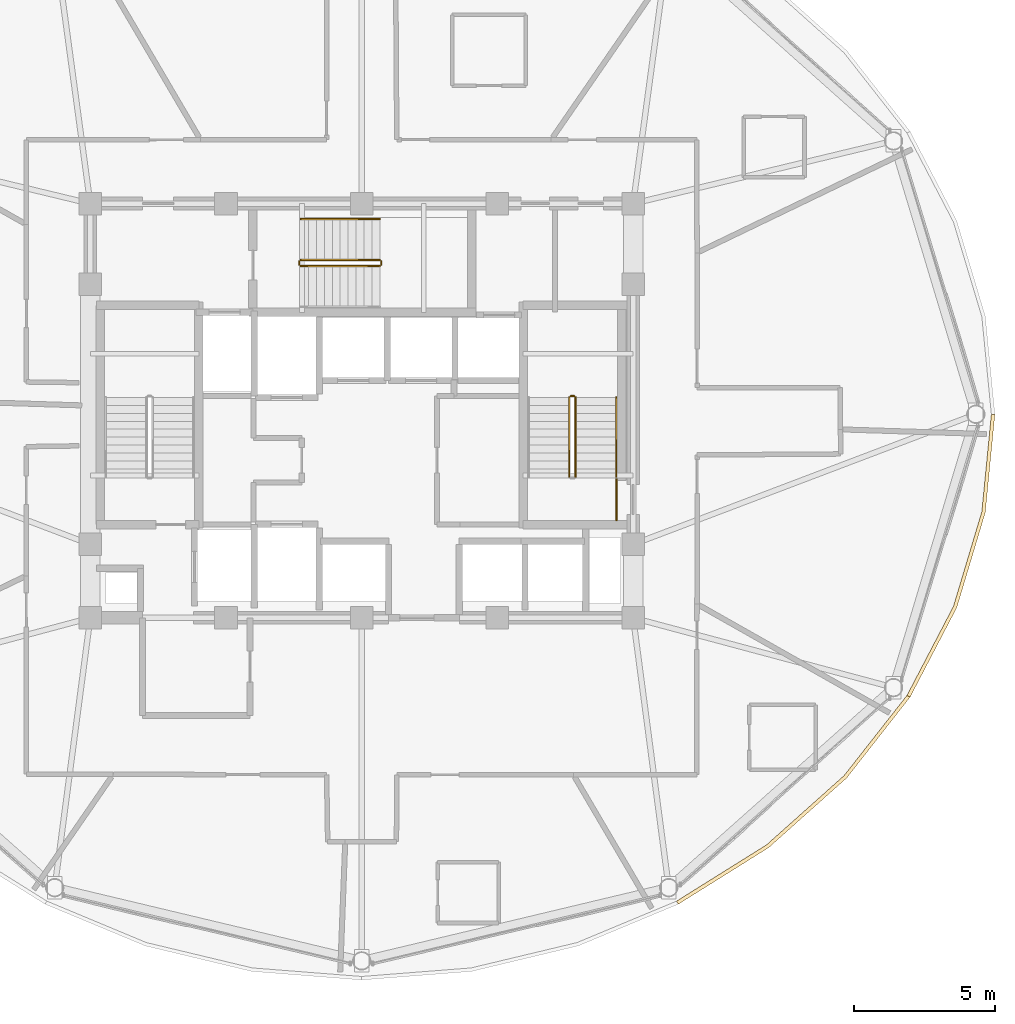
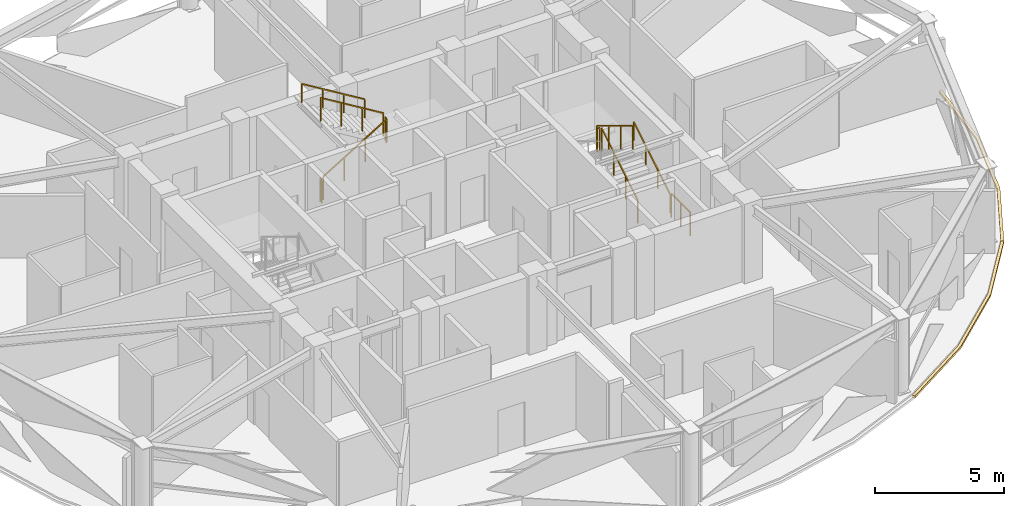
# One storey, part 27 of 28: 10 railings, 2 coverings.
"""IFC4 building model written with IfcOpenShell, lengths in metres."""

import ifcopenshell
import ifcopenshell.guid

model = None  # the IFC model being written
_history = None  # IfcOwnerHistory: only IFC2X3 demands one
_inside = {}  # id of a spatial element -> (the spatial element, [elements in it])
_under = {}  # id of a project, library or spatial element -> (it, [spatial elements below it])
_declared = {}  # id of a project -> (the project, [libraries it declares])
_typed = {}  # id of a type object -> (the type object, [elements of that type])
_made_of = {}  # id of a material, layer set ... -> (it, [elements and type objects made of it])


def new_model(schema):
    """Start an empty IFC model of exactly this schema.

    Asked for "IFC4X3", IfcOpenShell would pick the latest addendum, in which some entities
    have other attributes; the version numbers below select the first issue.
    IFC2X3 requires an IfcOwnerHistory on every rooted entity: one is made here for all.
    """
    global model, _history
    if schema == "IFC4X3":
        model = ifcopenshell.file(schema_version=(4, 3, 0, 0))
    else:
        model = ifcopenshell.file(schema=schema)
    _inside.clear()
    _under.clear()
    _declared.clear()
    _typed.clear()
    _made_of.clear()
    _history = None
    if model.schema == "IFC2X3":
        org = make("IfcOrganization", Name="unknown")
        user = make(
            "IfcPersonAndOrganization",
            ThePerson=make("IfcPerson", FamilyName="unknown"),
            TheOrganization=org,
        )
        app = make(
            "IfcApplication",
            ApplicationDeveloper=org,
            Version="unknown",
            ApplicationFullName="unknown",
            ApplicationIdentifier="unknown",
        )
        _history = make(
            "IfcOwnerHistory",
            OwningUser=user,
            OwningApplication=app,
            ChangeAction="ADDED",
            CreationDate=0,
        )
    return model


def make(cls, **values):
    """One entity of the class cls with the attributes given. An attribute that is None is left unset."""
    return model.create_entity(
        cls, **{name: value for name, value in values.items() if value is not None}
    )


def rooted(cls, **values):
    """An entity with a GlobalId (a new one), such as an element, a storey or a relation."""
    return make(cls, GlobalId=ifcopenshell.guid.new(), OwnerHistory=_history, **values)


def si_unit(unit_type, name, prefix=None):
    """IfcSIUnit, for example si_unit("LENGTHUNIT", "METRE", prefix="MILLI")."""
    return make("IfcSIUnit", UnitType=unit_type, Prefix=prefix, Name=name)


def assignment(units):
    """IfcUnitAssignment: the units of a project."""
    return None if units is None else make("IfcUnitAssignment", Units=units)


def point(xyz):
    """IfcCartesianPoint."""
    return None if xyz is None else make("IfcCartesianPoint", Coordinates=xyz)


def direction(xyz):
    """IfcDirection."""
    return None if xyz is None else make("IfcDirection", DirectionRatios=xyz)


def frame(location, z_axis=None, x_axis=None):
    """IfcAxis2Placement3D, a coordinate frame: its origin and axes. An axis left out is left unset."""
    return make(
        "IfcAxis2Placement3D",
        Location=point(location),
        Axis=direction(z_axis),
        RefDirection=direction(x_axis),
    )


def frame_2d(location, x_axis=None):
    """IfcAxis2Placement2D, a coordinate frame in the plane: its origin and x axis."""
    return make(
        "IfcAxis2Placement2D", Location=point(location), RefDirection=direction(x_axis)
    )


def origin():
    """The frame at (0, 0, 0) with its axes left unset."""
    return frame((0.0, 0.0, 0.0))


def origin_2d():
    """The frame at (0, 0) in the plane with its x axis left unset."""
    return frame_2d((0.0, 0.0))


def place(relative_to, where):
    """IfcLocalPlacement: puts the frame where relative to a parent placement (None: the world)."""
    return make(
        "IfcLocalPlacement", PlacementRelTo=relative_to, RelativePlacement=where
    )


def context(
    kind, dimensions, precision=None, world=None, true_north=None, identifier=None
):
    """IfcGeometricRepresentationContext, for example the 3D "Model" context."""
    return make(
        "IfcGeometricRepresentationContext",
        ContextIdentifier=identifier,
        ContextType=kind,
        CoordinateSpaceDimension=dimensions,
        Precision=precision,
        WorldCoordinateSystem=world,
        TrueNorth=true_north,
    )


def subcontext(parent, identifier, kind, view, scale=None):
    """IfcGeometricRepresentationSubContext, for example "Body" below "Model"."""
    return make(
        "IfcGeometricRepresentationSubContext",
        ContextIdentifier=identifier,
        ContextType=kind,
        ParentContext=parent,
        TargetScale=scale,
        TargetView=view,
    )


def project(units=None, contexts=None):
    """IfcProject with its units and contexts."""
    return rooted(
        "IfcProject",
        Name="project",
        RepresentationContexts=contexts,
        UnitsInContext=assignment(units),
    )


def spatial(cls, under=None, at=None, **own):
    """A site, building, storey or space (cls), placed at a placement, below another one or the project."""
    s = rooted(cls, ObjectPlacement=at, **own)
    if under is not None:
        _under.setdefault(under.id(), (under, []))[1].append(s)
    return s


def polyline(points):
    """IfcPolyline through the points."""
    return make("IfcPolyline", Points=[point(p) for p in points])


def profile(cls, at=None, kind="AREA", **sizes):
    """A parametric profile (cls). Its sizes go by their IFC names, for example OverallWidth=200.0."""
    return make(cls, ProfileType=kind, Position=at, **sizes)


def rectangle(**sizes):
    """IfcRectangleProfileDef."""
    return profile("IfcRectangleProfileDef", **sizes)


def outline(outer, holes=None, kind="AREA"):
    """IfcArbitraryClosedProfileDef: a profile drawn as a closed curve; with holes, ...WithVoids."""
    if holes is None:
        return make("IfcArbitraryClosedProfileDef", ProfileType=kind, OuterCurve=outer)
    return make(
        "IfcArbitraryProfileDefWithVoids",
        ProfileType=kind,
        OuterCurve=outer,
        InnerCurves=holes,
    )


def extrude(swept, where, along, depth):
    """IfcExtrudedAreaSolid: the profile swept, set in the frame where, extruded along a direction by depth."""
    return make(
        "IfcExtrudedAreaSolid",
        SweptArea=swept,
        Position=where,
        ExtrudedDirection=direction(along),
        Depth=depth,
    )


def shape(context_of_items, identifier, shape_type, items):
    """IfcShapeRepresentation: the items that make up one representation, for example the "Body"."""
    return make(
        "IfcShapeRepresentation",
        ContextOfItems=context_of_items,
        RepresentationIdentifier=identifier,
        RepresentationType=shape_type,
        Items=items,
    )


def material(Name=None, Category=None):
    """IfcMaterial."""
    return make("IfcMaterial", Name=Name, Category=Category)


def layer(
    of_material, thickness, ventilated=None, Name=None, Category=None, Priority=None
):
    """IfcMaterialLayer: one layer of a wall or slab, of a material (None: an air gap)."""
    return make(
        "IfcMaterialLayer",
        Material=of_material,
        LayerThickness=thickness,
        IsVentilated=ventilated,
        Name=Name,
        Category=Category,
        Priority=Priority,
    )


def layer_set(layers, Name=None):
    """IfcMaterialLayerSet."""
    return make("IfcMaterialLayerSet", MaterialLayers=layers, LayerSetName=Name)


def made_of(thing, what):
    """Note that an element or type object is made of a material, layer set ...; save() writes the relation."""
    if what is not None:
        _made_of.setdefault(what.id(), (what, []))[1].append(thing)
    return thing


def type_object(cls, material=None, **own):
    """A type object (cls), such as IfcWallType, which elements share."""
    return made_of(rooted(cls, **own), material)


def element(
    cls,
    number,
    at=None,
    inside=None,
    cuts=None,
    type_object=None,
    material=None,
    context=None,
    identifier="Body",
    shape_type=None,
    held_by="IfcProductDefinitionShape",
    body=None,
    shapes=None,
    **own,
):
    """One element of the class cls, such as IfcWall. Its Tag is "e" and its number.

    at: its placement. inside: the storey or other place that contains it. cuts: it is an
    opening in that element (IfcRelVoidsElement). A single representation is given by context,
    identifier, shape_type and body (its items); several are given by shapes. held_by: the class
    of the entity that holds the representations. save() writes the other relations.
    """
    e = rooted(cls, Tag="e%d" % number, ObjectPlacement=at, **own)
    if body is not None:
        shapes = [shape(context, identifier, shape_type, body)]
    if shapes is not None:
        e.Representation = make(held_by, Representations=shapes)
    if inside is not None:
        _inside.setdefault(inside.id(), (inside, []))[1].append(e)
    if cuts is not None:
        rooted(
            "IfcRelVoidsElement", RelatingBuildingElement=cuts, RelatedOpeningElement=e
        )
    if type_object is not None:
        _typed.setdefault(type_object.id(), (type_object, []))[1].append(e)
    return made_of(e, material)


def aggregate(whole, parts):
    """IfcRelAggregates: a whole, such as a stair, and the parts it consists of."""
    return rooted("IfcRelAggregates", RelatingObject=whole, RelatedObjects=parts)


def save(model, path):
    """Write the relations noted so far, then the file.

    IfcRelAggregates (storeys below a building ...), IfcRelContainedInSpatialStructure (elements
    in a storey), IfcRelDefinesByType, IfcRelAssociatesMaterial and IfcRelDeclares: one each for
    every whole, place, type object, material and project.
    """
    for whole, parts in _under.values():
        aggregate(whole, parts)
    for where, things in _inside.values():
        rooted(
            "IfcRelContainedInSpatialStructure",
            RelatedElements=things,
            RelatingStructure=where,
        )
    for kind, things in _typed.values():
        rooted("IfcRelDefinesByType", RelatedObjects=things, RelatingType=kind)
    for what, things in _made_of.values():
        rooted("IfcRelAssociatesMaterial", RelatedObjects=things, RelatingMaterial=what)
    for by, libraries in _declared.values():
        rooted("IfcRelDeclares", RelatingContext=by, RelatedDefinitions=libraries)
    model.write(path)


model = new_model("IFC4")

# Units and contexts
model_context = context("Model", 3, precision=1e-05, world=origin(), true_north=direction((0.0, 1.0)))
body_context = subcontext(model_context, "Body", "Model", "MODEL_VIEW")
ifc_project = project(units=[si_unit("LENGTHUNIT", "METRE"), si_unit("AREAUNIT", "SQUARE_METRE"), si_unit("VOLUMEUNIT", "CUBIC_METRE"), si_unit("PLANEANGLEUNIT", "RADIAN"), si_unit("MASSUNIT", "GRAM", prefix="KILO")], contexts=[model_context])

# Site, building, storey
site_placement = place(None, origin())
site = spatial("IfcSite", under=ifc_project, at=site_placement, CompositionType="ELEMENT")
building_placement = place(site_placement, origin())
building = spatial("IfcBuilding", under=site, at=building_placement, Name="Vantalir Tower", CompositionType="ELEMENT")
storey_placement = place(building_placement, frame((0.0, 0.0, 238.64990234375)))
storey = spatial("IfcBuildingStorey", under=building, at=storey_placement, Name="L60", CompositionType="ELEMENT", Elevation=238.64990234375)

# Coverings
ifc_material_1 = material(Name="Anodised champagne aluminium sill fascia", Category="aluminium")
ifc_layer = layer(ifc_material_1, 0.125)
ifc_layer_set = layer_set([ifc_layer], Name="Anodised champagne aluminium sill fascia")
covering_type = type_object("IfcCoveringType", Name="COV-SLAB-FASCIA-125", PredefinedType="CLADDING", material=ifc_layer_set)
covering_1_placement = place(storey_placement, frame((0.0, 0.0, -0.179931640625)))
element("IfcCovering", 1, at=covering_1_placement, inside=storey, type_object=covering_type, Name="L60 Perimeter Slab-Edge Sill Fascia 11", PredefinedType="CLADDING", context=body_context, shape_type="SweptSolid", body=[
    extrude(outline(polyline([(42.697021484375, 7.673095703125), (45.89404296875, 9.673095703125), (48.654052734375, 12.138916015625), (50.89306640625, 14.99609375), (50.784912109375, 15.05810546875), (48.55810546875, 12.218994140625), (45.81396484375, 9.76904296875), (42.634033203125, 7.781005859375), (42.697021484375, 7.673095703125)])), origin(), (0.0, 0.0, 1.0), 0.10498046875),
])
covering_2_placement = place(storey_placement, frame((0.0, 0.0, -0.179931640625)))
element("IfcCovering", 2, at=covering_2_placement, inside=storey, type_object=covering_type, Name="L60 Perimeter Slab-Edge Sill Fascia 12", PredefinedType="CLADDING", context=body_context, shape_type="SweptSolid", body=[
    extrude(outline(polyline([(50.89306640625, 14.99609375), (52.54296875, 18.156982421875), (53.552978515625, 21.52587890625), (53.89306640625, 25.0), (53.76806640625, 25.0), (53.429931640625, 21.547119140625), (52.425048828125, 18.199951171875), (50.784912109375, 15.05810546875), (50.89306640625, 14.99609375)])), origin(), (0.0, 0.0, 1.0), 0.10498046875),
])

# Railings
ifc_material_2 = material(Name="Anodised aluminium and stainless steel guard", Category="steel")
railing_type_1 = type_object("IfcRailingType", Name="RAL-GUARD-1120", PredefinedType="GUARDRAIL", material=ifc_material_2)
railing_1_placement = place(storey_placement, frame((39.06005859375, 22.7900390625, 0.170654296875)))
element("IfcRailing", 3, at=railing_1_placement, inside=storey, type_object=railing_type_1, Name="L60 ST2 stair guard 1", PredefinedType="GUARDRAIL", context=body_context, shape_type="SweptSolid", body=[
    extrude(rectangle(XDim=0.048095703125, YDim=0.048095703125, at=origin_2d()), frame((0.0, 0.0, 1.09619140625), z_axis=(0.0, 0.854202870247, 0.519939858505), x_axis=(-1.0, 0.0, 0.0)), (0.0, 0.0, 1.0), 3.278076171875),
    extrude(rectangle(XDim=0.0419921875, YDim=0.0419921875, at=origin_2d()), origin(), (0.0, 0.0, 1.0), 1.072021484375),
    extrude(rectangle(XDim=0.0419921875, YDim=0.0419921875, at=origin_2d()), frame((0.0, 0.933349609375, 0.568115234375)), (0.0, 0.0, 1.0), 1.072021484375),
    extrude(rectangle(XDim=0.0419921875, YDim=0.0419921875, at=origin_2d()), frame((0.0, 1.86669921875, 1.13623046875)), (0.0, 0.0, 1.0), 1.072021484375),
    extrude(rectangle(XDim=0.0419921875, YDim=0.0419921875, at=origin_2d()), frame((0.0, 2.800048828125, 1.704345703125)), (0.0, 0.0, 1.0), 1.072021484375),
])
railing_2_placement = place(storey_placement, frame((39.010009765625, 25.639892578125, 1.875)))
element("IfcRailing", 4, at=railing_2_placement, inside=storey, type_object=railing_type_1, Name="L60 ST2 stair guard 2", PredefinedType="GUARDRAIL", context=body_context, shape_type="SweptSolid", body=[
    extrude(rectangle(XDim=0.048095703125, YDim=0.048095703125, at=origin_2d()), frame((0.0, 0.0, 1.09619140625), z_axis=(-1.0, 0.0, 0.0), x_axis=(0.0, -1.0, 0.0)), (0.0, 0.0, 1.0), 0.1201171875),
    extrude(rectangle(XDim=0.0419921875, YDim=0.0419921875, at=origin_2d()), origin(), (0.0, 0.0, 1.0), 1.072021484375),
    extrude(rectangle(XDim=0.0419921875, YDim=0.0419921875, at=origin_2d()), frame((-0.1201171875, 0.0, 0.0)), (0.0, 0.0, 1.0), 1.072021484375),
])
railing_3_placement = place(storey_placement, frame((38.840087890625, 25.590087890625, 2.045654296875)))
element("IfcRailing", 5, at=railing_3_placement, inside=storey, type_object=railing_type_1, Name="L60 ST2 stair guard 3", PredefinedType="GUARDRAIL", context=body_context, shape_type="SweptSolid", body=[
    extrude(rectangle(XDim=0.048095703125, YDim=0.048095703125, at=origin_2d()), frame((0.0, 0.0, 1.09619140625), z_axis=(0.0, -0.854202870247, 0.519939858505), x_axis=(1.0, 0.0, 0.0)), (0.0, 0.0, 1.0), 3.278076171875),
    extrude(rectangle(XDim=0.0419921875, YDim=0.0419921875, at=origin_2d()), origin(), (0.0, 0.0, 1.0), 1.072021484375),
    extrude(rectangle(XDim=0.0419921875, YDim=0.0419921875, at=origin_2d()), frame((0.0, -0.933349609375, 0.568115234375)), (0.0, 0.0, 1.0), 1.072021484375),
    extrude(rectangle(XDim=0.0419921875, YDim=0.0419921875, at=origin_2d()), frame((0.0, -1.86669921875, 1.13623046875)), (0.0, 0.0, 1.0), 1.072021484375),
    extrude(rectangle(XDim=0.0419921875, YDim=0.0419921875, at=origin_2d()), frame((0.0, -2.800048828125, 1.704345703125)), (0.0, 0.0, 1.0), 1.072021484375),
])
railing_4_placement = place(storey_placement, frame((29.340087890625, 30.239990234375, 0.170654296875)))
element("IfcRailing", 6, at=railing_4_placement, inside=storey, type_object=railing_type_1, Name="L60 ST3 stair guard 1", PredefinedType="GUARDRAIL", context=body_context, shape_type="SweptSolid", body=[
    extrude(rectangle(XDim=0.048095703125, YDim=0.048095703125, at=origin_2d()), frame((0.0, 0.0, 1.09619140625), z_axis=(0.854182733786, 0.0, 0.519972939009), x_axis=(0.0, 1.0, 0.0)), (0.0, 0.0, 1.0), 3.27783203125),
    extrude(rectangle(XDim=0.0419921875, YDim=0.0419921875, at=origin_2d()), origin(), (0.0, 0.0, 1.0), 1.072021484375),
    extrude(rectangle(XDim=0.0419921875, YDim=0.0419921875, at=origin_2d()), frame((0.933349609375, 0.0, 0.568115234375)), (0.0, 0.0, 1.0), 1.072021484375),
    extrude(rectangle(XDim=0.0419921875, YDim=0.0419921875, at=origin_2d()), frame((1.866455078125, 0.0, 1.13623046875)), (0.0, 0.0, 1.0), 1.072021484375),
    extrude(rectangle(XDim=0.0419921875, YDim=0.0419921875, at=origin_2d()), frame((2.7998046875, 0.0, 1.704345703125)), (0.0, 0.0, 1.0), 1.072021484375),
])
railing_5_placement = place(storey_placement, frame((32.18994140625, 30.2900390625, 1.875)))
element("IfcRailing", 7, at=railing_5_placement, inside=storey, type_object=railing_type_1, Name="L60 ST3 stair guard 2", PredefinedType="GUARDRAIL", context=body_context, shape_type="SweptSolid", body=[
    extrude(rectangle(XDim=0.048095703125, YDim=0.048095703125, at=origin_2d()), frame((0.0, 0.0, 1.09619140625), z_axis=(0.0, 1.0, 0.0), x_axis=(-1.0, 0.0, 0.0)), (0.0, 0.0, 1.0), 0.119873046875),
    extrude(rectangle(XDim=0.0419921875, YDim=0.0419921875, at=origin_2d()), origin(), (0.0, 0.0, 1.0), 1.072021484375),
    extrude(rectangle(XDim=0.0419921875, YDim=0.0419921875, at=origin_2d()), frame((0.0, 0.119873046875, 0.0)), (0.0, 0.0, 1.0), 1.072021484375),
])
railing_6_placement = place(storey_placement, frame((32.139892578125, 30.4599609375, 2.045654296875)))
element("IfcRailing", 8, at=railing_6_placement, inside=storey, type_object=railing_type_1, Name="L60 ST3 stair guard 3", PredefinedType="GUARDRAIL", context=body_context, shape_type="SweptSolid", body=[
    extrude(rectangle(XDim=0.048095703125, YDim=0.048095703125, at=origin_2d()), frame((0.0, 0.0, 1.09619140625), z_axis=(-0.854182733786, 0.0, 0.519972939009), x_axis=(0.0, -1.0, 0.0)), (0.0, 0.0, 1.0), 3.27783203125),
    extrude(rectangle(XDim=0.0419921875, YDim=0.0419921875, at=origin_2d()), origin(), (0.0, 0.0, 1.0), 1.072021484375),
    extrude(rectangle(XDim=0.0419921875, YDim=0.0419921875, at=origin_2d()), frame((-0.933349609375, 0.0, 0.568115234375)), (0.0, 0.0, 1.0), 1.072021484375),
    extrude(rectangle(XDim=0.0419921875, YDim=0.0419921875, at=origin_2d()), frame((-1.866455078125, 0.0, 1.13623046875)), (0.0, 0.0, 1.0), 1.072021484375),
    extrude(rectangle(XDim=0.0419921875, YDim=0.0419921875, at=origin_2d()), frame((-2.7998046875, 0.0, 1.704345703125)), (0.0, 0.0, 1.0), 1.072021484375),
])
railing_7_placement = place(storey_placement, frame((29.2900390625, 30.2900390625, 0.0)))
element("IfcRailing", 9, at=railing_7_placement, inside=storey, type_object=railing_type_1, Name="L60 ST3 stair guard 4", PredefinedType="GUARDRAIL", context=body_context, shape_type="SweptSolid", body=[
    extrude(rectangle(XDim=0.048095703125, YDim=0.048095703125, at=origin_2d()), frame((0.0, 0.0, 1.09619140625), z_axis=(0.0, 1.0, 0.0), x_axis=(-1.0, 0.0, 0.0)), (0.0, 0.0, 1.0), 0.119873046875),
    extrude(rectangle(XDim=0.0419921875, YDim=0.0419921875, at=origin_2d()), origin(), (0.0, 0.0, 1.0), 1.072021484375),
    extrude(rectangle(XDim=0.0419921875, YDim=0.0419921875, at=origin_2d()), frame((0.0, 0.119873046875, 0.0)), (0.0, 0.0, 1.0), 1.072021484375),
])
railing_8_placement = place(storey_placement, frame((40.510009765625, 21.260009765625, 0.0)))
element("IfcRailing", 10, at=railing_8_placement, inside=storey, type_object=railing_type_1, Name="L60 Stair ST2 Doorway Landing Guard", PredefinedType="GUARDRAIL", context=body_context, shape_type="SweptSolid", body=[
    extrude(rectangle(XDim=0.048095703125, YDim=0.048095703125, at=origin_2d()), frame((0.0, 0.0, 1.1259765625), z_axis=(0.0, 1.0, 0.0), x_axis=(-1.0, 0.0, 0.0)), (0.0, 0.0, 1.0), 1.43994140625),
    extrude(rectangle(XDim=0.0419921875, YDim=0.0419921875, at=origin_2d()), origin(), (0.0, 0.0, 1.0), 1.101806640625),
    extrude(rectangle(XDim=0.0419921875, YDim=0.0419921875, at=origin_2d()), frame((0.0, 0.719970703125, 0.0)), (0.0, 0.0, 1.0), 1.101806640625),
    extrude(rectangle(XDim=0.0419921875, YDim=0.0419921875, at=origin_2d()), frame((0.0, 1.43994140625, 0.0)), (0.0, 0.0, 1.0), 1.101806640625),
])
ifc_material_3 = material(Name="Brushed stainless steel tubular handrail", Category="steel")
railing_type_2 = type_object("IfcRailingType", Name="RAL-HANDRAIL-900", PredefinedType="HANDRAIL", material=ifc_material_3)
railing_9_placement = place(storey_placement, frame((40.5, 22.7900390625, 0.170654296875)))
element("IfcRailing", 11, at=railing_9_placement, inside=storey, type_object=railing_type_2, Name="L60 ST2 stair handrail 1", PredefinedType="HANDRAIL", context=body_context, shape_type="SweptSolid", body=[
    extrude(rectangle(XDim=0.048095703125, YDim=0.048095703125, at=origin_2d()), frame((0.0, 0.0, 0.8759765625), z_axis=(0.0, 0.854202870247, 0.519939858505), x_axis=(-1.0, 0.0, 0.0)), (0.0, 0.0, 1.0), 3.278076171875),
    extrude(rectangle(XDim=0.0419921875, YDim=0.0419921875, at=origin_2d()), origin(), (0.0, 0.0, 1.0), 0.851806640625),
    extrude(rectangle(XDim=0.0419921875, YDim=0.0419921875, at=origin_2d()), frame((0.0, 0.933349609375, 0.568115234375)), (0.0, 0.0, 1.0), 0.851806640625),
    extrude(rectangle(XDim=0.0419921875, YDim=0.0419921875, at=origin_2d()), frame((0.0, 1.86669921875, 1.13623046875)), (0.0, 0.0, 1.0), 0.851806640625),
    extrude(rectangle(XDim=0.0419921875, YDim=0.0419921875, at=origin_2d()), frame((0.0, 2.800048828125, 1.704345703125)), (0.0, 0.0, 1.0), 0.851806640625),
])
railing_10_placement = place(storey_placement, frame((32.139892578125, 31.89990234375, 2.045654296875)))
element("IfcRailing", 12, at=railing_10_placement, inside=storey, type_object=railing_type_2, Name="L60 ST3 stair handrail 2", PredefinedType="HANDRAIL", context=body_context, shape_type="SweptSolid", body=[
    extrude(rectangle(XDim=0.048095703125, YDim=0.048095703125, at=origin_2d()), frame((0.0, 0.0, 0.8759765625), z_axis=(-0.854182733786, 0.0, 0.519972939009), x_axis=(0.0, -1.0, 0.0)), (0.0, 0.0, 1.0), 3.27783203125),
    extrude(rectangle(XDim=0.0419921875, YDim=0.0419921875, at=origin_2d()), origin(), (0.0, 0.0, 1.0), 0.851806640625),
    extrude(rectangle(XDim=0.0419921875, YDim=0.0419921875, at=origin_2d()), frame((-0.933349609375, 0.0, 0.568115234375)), (0.0, 0.0, 1.0), 0.851806640625),
    extrude(rectangle(XDim=0.0419921875, YDim=0.0419921875, at=origin_2d()), frame((-1.866455078125, 0.0, 1.13623046875)), (0.0, 0.0, 1.0), 0.851806640625),
    extrude(rectangle(XDim=0.0419921875, YDim=0.0419921875, at=origin_2d()), frame((-2.7998046875, 0.0, 1.704345703125)), (0.0, 0.0, 1.0), 0.851806640625),
])

save(model, "model.ifc")
